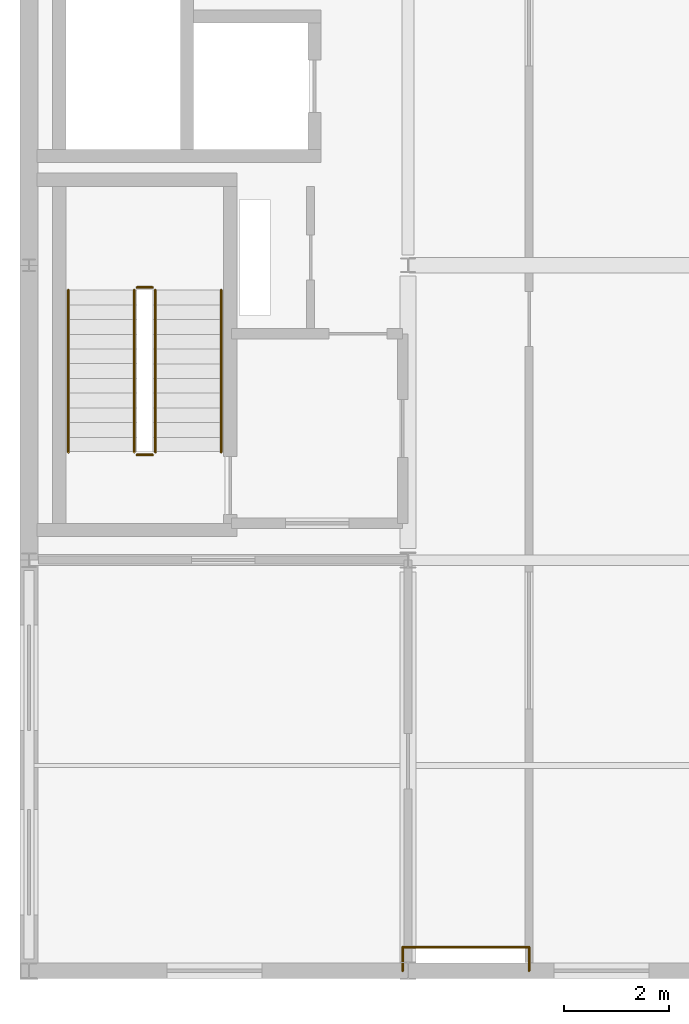
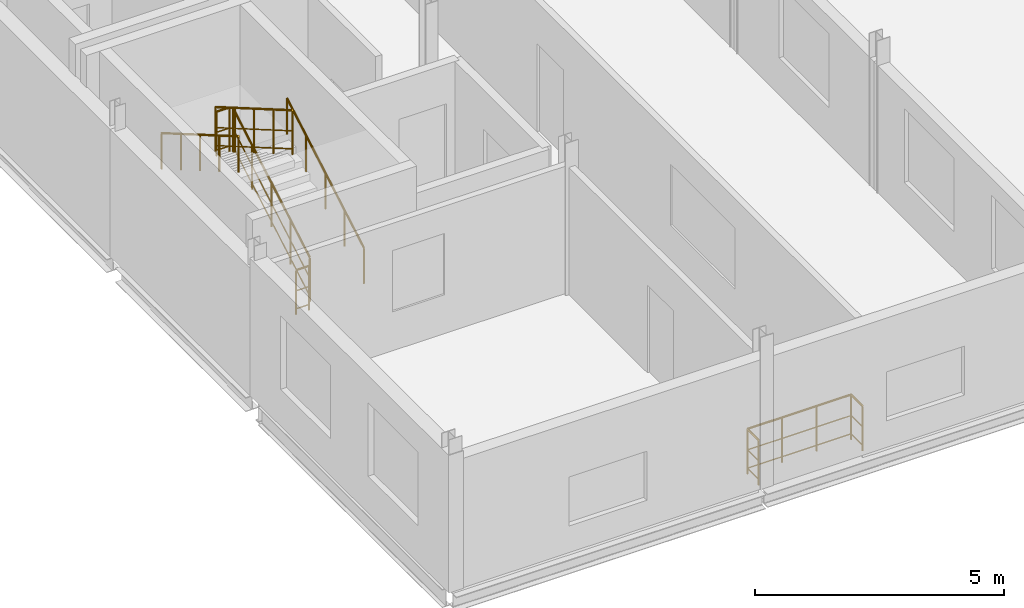
# One storey, part 12 of 14: 9 railings.
"""IFC4 building model written with IfcOpenShell, lengths in metres."""

from ifc_helpers import new_model, si_unit, direction, frame, origin, origin_2d, place, context, subcontext, project, spatial, circle, extrude, material, type_object, element, save


model = new_model("IFC4")

# Units and contexts
model_context = context("Model", 3, precision=1e-05, world=origin(), true_north=direction((0.0, 1.0)))
body_context = subcontext(model_context, "Body", "Model", "MODEL_VIEW")
ifc_project = project(units=[si_unit("LENGTHUNIT", "METRE"), si_unit("AREAUNIT", "SQUARE_METRE"), si_unit("VOLUMEUNIT", "CUBIC_METRE"), si_unit("PLANEANGLEUNIT", "RADIAN"), si_unit("MASSUNIT", "GRAM", prefix="KILO")], contexts=[model_context])

# Site, building, storey
site_placement = place(None, origin())
site = spatial("IfcSite", under=ifc_project, at=site_placement, CompositionType="ELEMENT")
building_placement = place(site_placement, origin())
building = spatial("IfcBuilding", under=site, at=building_placement, Name="Vinh Khe Railworks Police Headquarters", CompositionType="ELEMENT")
storey_placement = place(building_placement, frame((0.0, 0.0, 32.699951171875)))
storey = spatial("IfcBuildingStorey", under=building, at=storey_placement, Name="L08", CompositionType="ELEMENT", Elevation=32.699951171875)

# Railings
ifc_material_1 = material(Name="Painted tubular steel", Category="steel")
railing_type_1 = type_object("IfcRailingType", Name="RL-GUARD-1100", PredefinedType="GUARDRAIL", material=ifc_material_1)
railing_1_placement = place(storey_placement, frame((3.0, 27.25, 0.16259765625)))
element("IfcRailing", 1, at=railing_1_placement, inside=storey, type_object=railing_type_1, Name="L08 ST-01 stair guard 1", PredefinedType="GUARDRAIL", context=body_context, shape_type="SweptSolid", body=[
    extrude(circle(Radius=0.02392578125, at=origin_2d()), frame((0.0, 0.0, 1.076171875), z_axis=(0.0, 0.864920483161, 0.501908913857), x_axis=(-1.0, 0.0, 0.0)), (0.0, 0.0, 1.0), 3.56103515625),
    extrude(circle(Radius=0.01416015625, at=origin_2d()), frame((0.0, 0.0, 0.132080078125), z_axis=(0.0, 0.864920483161, 0.501908913857), x_axis=(-1.0, 0.0, 0.0)), (0.0, 0.0, 1.0), 3.56103515625),
    extrude(circle(Radius=0.01416015625, at=origin_2d()), frame((0.0, 0.0, 0.572021484375), z_axis=(0.0, 0.864920483161, 0.501908913857), x_axis=(-1.0, 0.0, 0.0)), (0.0, 0.0, 1.0), 3.56103515625),
    extrude(circle(Radius=0.02099609375, at=origin_2d()), origin(), (0.0, 0.0, 1.0), 1.052001953125),
    extrude(circle(Radius=0.02099609375, at=origin_2d()), frame((0.0, 0.77001953125, 0.44677734375)), (0.0, 0.0, 1.0), 1.052001953125),
    extrude(circle(Radius=0.02099609375, at=origin_2d()), frame((0.0, 1.5400390625, 0.8935546875)), (0.0, 0.0, 1.0), 1.052001953125),
    extrude(circle(Radius=0.02099609375, at=origin_2d()), frame((0.0, 2.31005859375, 1.340576171875)), (0.0, 0.0, 1.0), 1.052001953125),
    extrude(circle(Radius=0.02099609375, at=origin_2d()), frame((0.0, 3.080078125, 1.787353515625)), (0.0, 0.0, 1.0), 1.052001953125),
])
railing_2_placement = place(storey_placement, frame((2.949951171875, 30.3798828125, 1.949951171875)))
element("IfcRailing", 2, at=railing_2_placement, inside=storey, type_object=railing_type_1, Name="L08 ST-01 stair guard 2", PredefinedType="GUARDRAIL", context=body_context, shape_type="SweptSolid", body=[
    extrude(circle(Radius=0.02392578125, at=origin_2d()), frame((0.0, 0.0, 1.076171875), z_axis=(-1.0, 0.0, 0.0), x_axis=(0.0, -1.0, 0.0)), (0.0, 0.0, 1.0), 0.300048828125),
    extrude(circle(Radius=0.01416015625, at=origin_2d()), frame((0.0, 0.0, 0.132080078125), z_axis=(-1.0, 0.0, 0.0), x_axis=(0.0, -1.0, 0.0)), (0.0, 0.0, 1.0), 0.300048828125),
    extrude(circle(Radius=0.01416015625, at=origin_2d()), frame((0.0, 0.0, 0.572021484375), z_axis=(-1.0, 0.0, 0.0), x_axis=(0.0, -1.0, 0.0)), (0.0, 0.0, 1.0), 0.300048828125),
    extrude(circle(Radius=0.02099609375, at=origin_2d()), origin(), (0.0, 0.0, 1.0), 1.052001953125),
    extrude(circle(Radius=0.02099609375, at=origin_2d()), frame((-0.300048828125, 0.0, 0.0)), (0.0, 0.0, 1.0), 1.052001953125),
])
railing_3_placement = place(storey_placement, frame((2.60009765625, 30.330078125, 2.112548828125)))
element("IfcRailing", 3, at=railing_3_placement, inside=storey, type_object=railing_type_1, Name="L08 ST-01 stair guard 3", PredefinedType="GUARDRAIL", context=body_context, shape_type="SweptSolid", body=[
    extrude(circle(Radius=0.02392578125, at=origin_2d()), frame((0.0, 0.0, 1.076171875), z_axis=(0.0, -0.864890721111, 0.501960198159), x_axis=(1.0, 0.0, 0.0)), (0.0, 0.0, 1.0), 3.561279296875),
    extrude(circle(Radius=0.01416015625, at=origin_2d()), frame((0.0, 0.0, 0.132080078125), z_axis=(0.0, -0.864890721111, 0.501960198159), x_axis=(1.0, 0.0, 0.0)), (0.0, 0.0, 1.0), 3.561279296875),
    extrude(circle(Radius=0.01416015625, at=origin_2d()), frame((0.0, 0.0, 0.572021484375), z_axis=(0.0, -0.864890721111, 0.501960198159), x_axis=(1.0, 0.0, 0.0)), (0.0, 0.0, 1.0), 3.561279296875),
    extrude(circle(Radius=0.02099609375, at=origin_2d()), origin(), (0.0, 0.0, 1.0), 1.052001953125),
    extrude(circle(Radius=0.02099609375, at=origin_2d()), frame((0.0, -0.77001953125, 0.44677734375)), (0.0, 0.0, 1.0), 1.052001953125),
    extrude(circle(Radius=0.02099609375, at=origin_2d()), frame((0.0, -1.5400390625, 0.893798828125)), (0.0, 0.0, 1.0), 1.052001953125),
    extrude(circle(Radius=0.02099609375, at=origin_2d()), frame((0.0, -2.31005859375, 1.3408203125)), (0.0, 0.0, 1.0), 1.052001953125),
    extrude(circle(Radius=0.02099609375, at=origin_2d()), frame((0.0, -3.080078125, 1.78759765625)), (0.0, 0.0, 1.0), 1.052001953125),
])
railing_4_placement = place(storey_placement, frame((2.949951171875, 27.199951171875, 0.0)))
element("IfcRailing", 4, at=railing_4_placement, inside=storey, type_object=railing_type_1, Name="L08 ST-01 stair guard 4", PredefinedType="GUARDRAIL", context=body_context, shape_type="SweptSolid", body=[
    extrude(circle(Radius=0.02392578125, at=origin_2d()), frame((0.0, 0.0, 1.076171875), z_axis=(-1.0, 0.0, 0.0), x_axis=(0.0, -1.0, 0.0)), (0.0, 0.0, 1.0), 0.300048828125),
    extrude(circle(Radius=0.01416015625, at=origin_2d()), frame((0.0, 0.0, 0.132080078125), z_axis=(-1.0, 0.0, 0.0), x_axis=(0.0, -1.0, 0.0)), (0.0, 0.0, 1.0), 0.300048828125),
    extrude(circle(Radius=0.01416015625, at=origin_2d()), frame((0.0, 0.0, 0.572021484375), z_axis=(-1.0, 0.0, 0.0), x_axis=(0.0, -1.0, 0.0)), (0.0, 0.0, 1.0), 0.300048828125),
    extrude(circle(Radius=0.02099609375, at=origin_2d()), origin(), (0.0, 0.0, 1.0), 1.052001953125),
    extrude(circle(Radius=0.02099609375, at=origin_2d()), frame((-0.300048828125, 0.0, 0.0)), (0.0, 0.0, 1.0), 1.052001953125),
])
railing_5_placement = place(storey_placement, frame((7.699951171875, 17.39990234375, 0.0)))
element("IfcRailing", 5, at=railing_5_placement, inside=storey, type_object=railing_type_1, Name="Slab Corner Notch Guard L08-114", PredefinedType="GUARDRAIL", context=body_context, shape_type="SweptSolid", body=[
    extrude(circle(Radius=0.02392578125, at=origin_2d()), frame((0.0, 0.0, 1.09619140625), z_axis=(0.0, 1.0, 0.0), x_axis=(-1.0, 0.0, 0.0)), (0.0, 0.0, 1.0), 0.4501953125),
    extrude(circle(Radius=0.01416015625, at=origin_2d()), frame((0.0, 0.0, 0.134521484375), z_axis=(0.0, 1.0, 0.0), x_axis=(-1.0, 0.0, 0.0)), (0.0, 0.0, 1.0), 0.4501953125),
    extrude(circle(Radius=0.01416015625, at=origin_2d()), frame((0.0, 0.0, 0.58251953125), z_axis=(0.0, 1.0, 0.0), x_axis=(-1.0, 0.0, 0.0)), (0.0, 0.0, 1.0), 0.4501953125),
    extrude(circle(Radius=0.02099609375, at=origin_2d()), origin(), (0.0, 0.0, 1.0), 1.072021484375),
    extrude(circle(Radius=0.02099609375, at=origin_2d()), frame((0.0, 0.4501953125, 0.0)), (0.0, 0.0, 1.0), 1.072021484375),
])
railing_6_placement = place(storey_placement, frame((7.699951171875, 17.85009765625, 0.0)))
element("IfcRailing", 6, at=railing_6_placement, inside=storey, type_object=railing_type_1, Name="Slab Corner Notch Guard L08-115", PredefinedType="GUARDRAIL", context=body_context, shape_type="SweptSolid", body=[
    extrude(circle(Radius=0.02392578125, at=origin_2d()), frame((0.0, 0.0, 1.09619140625), z_axis=(1.0, 0.0, 0.0), x_axis=(0.0, 1.0, 0.0)), (0.0, 0.0, 1.0), 2.400146484375),
    extrude(circle(Radius=0.01416015625, at=origin_2d()), frame((0.0, 0.0, 0.134521484375), z_axis=(1.0, 0.0, 0.0), x_axis=(0.0, 1.0, 0.0)), (0.0, 0.0, 1.0), 2.400146484375),
    extrude(circle(Radius=0.01416015625, at=origin_2d()), frame((0.0, 0.0, 0.58251953125), z_axis=(1.0, 0.0, 0.0), x_axis=(0.0, 1.0, 0.0)), (0.0, 0.0, 1.0), 2.400146484375),
    extrude(circle(Radius=0.02099609375, at=origin_2d()), origin(), (0.0, 0.0, 1.0), 1.072021484375),
    extrude(circle(Radius=0.02099609375, at=origin_2d()), frame((0.800048828125, 0.0, 0.0)), (0.0, 0.0, 1.0), 1.072021484375),
    extrude(circle(Radius=0.02099609375, at=origin_2d()), frame((1.60009765625, 0.0, 0.0)), (0.0, 0.0, 1.0), 1.072021484375),
    extrude(circle(Radius=0.02099609375, at=origin_2d()), frame((2.400146484375, 0.0, 0.0)), (0.0, 0.0, 1.0), 1.072021484375),
])
railing_7_placement = place(storey_placement, frame((10.10009765625, 17.85009765625, 0.0)))
element("IfcRailing", 7, at=railing_7_placement, inside=storey, type_object=railing_type_1, Name="Slab Corner Notch Guard L08-116", PredefinedType="GUARDRAIL", context=body_context, shape_type="SweptSolid", body=[
    extrude(circle(Radius=0.02392578125, at=origin_2d()), frame((0.0, 0.0, 1.09619140625), z_axis=(0.0, -1.0, 0.0), x_axis=(1.0, 0.0, 0.0)), (0.0, 0.0, 1.0), 0.4501953125),
    extrude(circle(Radius=0.01416015625, at=origin_2d()), frame((0.0, 0.0, 0.134521484375), z_axis=(0.0, -1.0, 0.0), x_axis=(1.0, 0.0, 0.0)), (0.0, 0.0, 1.0), 0.4501953125),
    extrude(circle(Radius=0.01416015625, at=origin_2d()), frame((0.0, 0.0, 0.58251953125), z_axis=(0.0, -1.0, 0.0), x_axis=(1.0, 0.0, 0.0)), (0.0, 0.0, 1.0), 0.4501953125),
    extrude(circle(Radius=0.02099609375, at=origin_2d()), origin(), (0.0, 0.0, 1.0), 1.072021484375),
    extrude(circle(Radius=0.02099609375, at=origin_2d()), frame((0.0, -0.4501953125, 0.0)), (0.0, 0.0, 1.0), 1.072021484375),
])
ifc_material_2 = material(Name="Brushed stainless steel", Category="steel")
railing_type_2 = type_object("IfcRailingType", Name="RL-HAND-900", PredefinedType="HANDRAIL", material=ifc_material_2)
railing_8_placement = place(storey_placement, frame((4.25, 27.25, 0.16259765625)))
element("IfcRailing", 8, at=railing_8_placement, inside=storey, type_object=railing_type_2, Name="L08 ST-01 stair handrail 1", PredefinedType="HANDRAIL", context=body_context, shape_type="SweptSolid", body=[
    extrude(circle(Radius=0.02392578125, at=origin_2d()), frame((0.0, 0.0, 0.8759765625), z_axis=(0.0, 0.864920483161, 0.501908913857), x_axis=(-1.0, 0.0, 0.0)), (0.0, 0.0, 1.0), 3.56103515625),
    extrude(circle(Radius=0.02099609375, at=origin_2d()), origin(), (0.0, 0.0, 1.0), 0.851806640625),
    extrude(circle(Radius=0.02099609375, at=origin_2d()), frame((0.0, 0.77001953125, 0.44677734375)), (0.0, 0.0, 1.0), 0.851806640625),
    extrude(circle(Radius=0.02099609375, at=origin_2d()), frame((0.0, 1.5400390625, 0.8935546875)), (0.0, 0.0, 1.0), 0.851806640625),
    extrude(circle(Radius=0.02099609375, at=origin_2d()), frame((0.0, 2.31005859375, 1.340576171875)), (0.0, 0.0, 1.0), 0.851806640625),
    extrude(circle(Radius=0.02099609375, at=origin_2d()), frame((0.0, 3.080078125, 1.787353515625)), (0.0, 0.0, 1.0), 0.851806640625),
])
railing_9_placement = place(storey_placement, frame((1.35009765625, 30.330078125, 2.112548828125)))
element("IfcRailing", 9, at=railing_9_placement, inside=storey, type_object=railing_type_2, Name="L08 ST-01 stair handrail 2", PredefinedType="HANDRAIL", context=body_context, shape_type="SweptSolid", body=[
    extrude(circle(Radius=0.02392578125, at=origin_2d()), frame((0.0, 0.0, 0.8759765625), z_axis=(0.0, -0.864890721111, 0.501960198159), x_axis=(1.0, 0.0, 0.0)), (0.0, 0.0, 1.0), 3.561279296875),
    extrude(circle(Radius=0.02099609375, at=origin_2d()), origin(), (0.0, 0.0, 1.0), 0.851806640625),
    extrude(circle(Radius=0.02099609375, at=origin_2d()), frame((0.0, -0.77001953125, 0.44677734375)), (0.0, 0.0, 1.0), 0.851806640625),
    extrude(circle(Radius=0.02099609375, at=origin_2d()), frame((0.0, -1.5400390625, 0.893798828125)), (0.0, 0.0, 1.0), 0.851806640625),
    extrude(circle(Radius=0.02099609375, at=origin_2d()), frame((0.0, -2.31005859375, 1.3408203125)), (0.0, 0.0, 1.0), 0.851806640625),
    extrude(circle(Radius=0.02099609375, at=origin_2d()), frame((0.0, -3.080078125, 1.78759765625)), (0.0, 0.0, 1.0), 0.851806640625),
])

save(model, "model.ifc")
